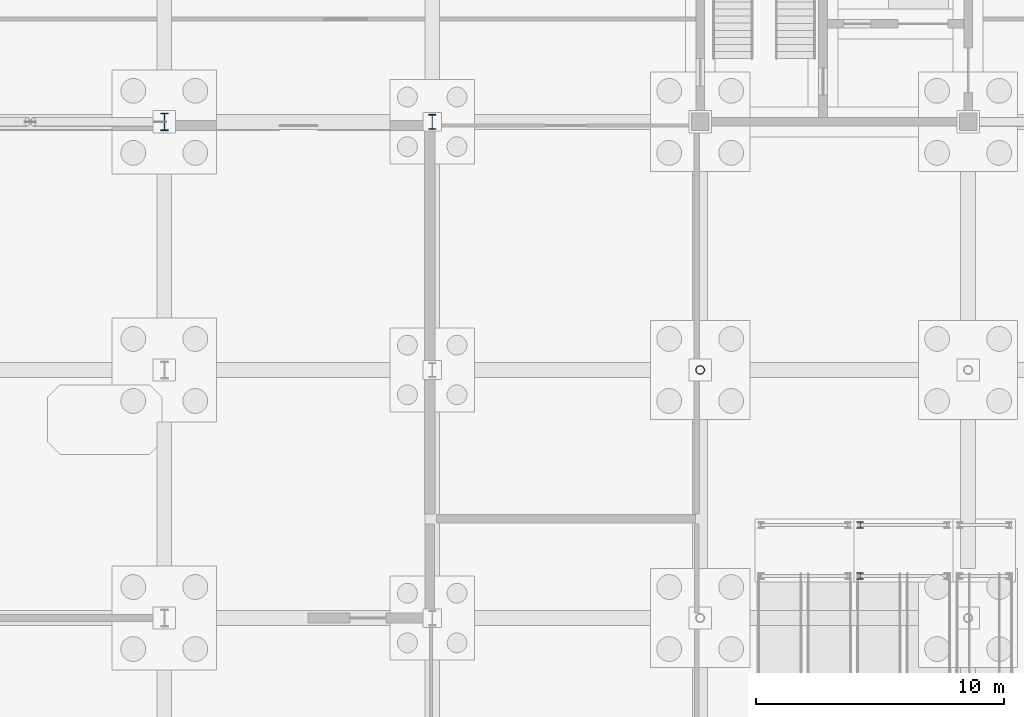
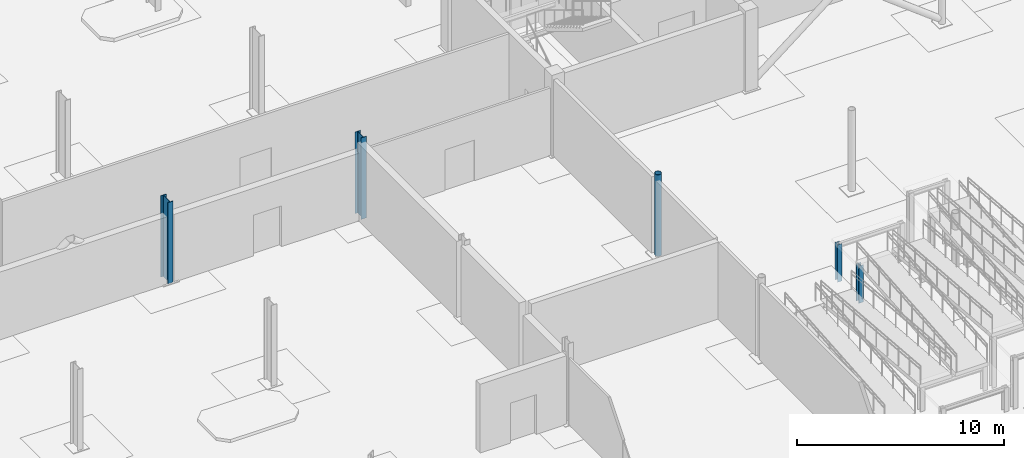
# One storey, part 16 of 73: 5 columns.
"""IFC4 building model written with IfcOpenShell, lengths in metres."""

from ifc_helpers import new_model, si_unit, direction, frame, origin, origin_2d, place, context, subcontext, project, spatial, hollow_circle, i_section, extrude, material, material_profile, profile_set, type_object, element, save


model = new_model("IFC4")

# Units and contexts
model_context = context("Model", 3, precision=1e-05, world=origin(), true_north=direction((0.0, 1.0)))
body_context = subcontext(model_context, "Body", "Model", "MODEL_VIEW")
ifc_project = project(units=[si_unit("LENGTHUNIT", "METRE"), si_unit("AREAUNIT", "SQUARE_METRE"), si_unit("VOLUMEUNIT", "CUBIC_METRE"), si_unit("PLANEANGLEUNIT", "RADIAN"), si_unit("MASSUNIT", "GRAM", prefix="KILO")], contexts=[model_context])

# Site, building, storey
site_placement = place(None, origin())
site = spatial("IfcSite", under=ifc_project, at=site_placement, CompositionType="ELEMENT")
building_placement = place(site_placement, origin())
building = spatial("IfcBuilding", under=site, at=building_placement, Name="Tasgan Crest Museum", CompositionType="ELEMENT")
storey_placement = place(building_placement, origin())
storey = spatial("IfcBuildingStorey", under=building, at=storey_placement, Name="L00", CompositionType="ELEMENT", Elevation=0.0)

# Columns
ifc_material_1 = material(Name="Steel S355K2", Category="steel")
ifc_material_profile_1 = material_profile(ifc_material_1, hollow_circle(Radius=0.177734375, WallThickness=0.01611328125, at=origin_2d()), Name="CHS 355.6x16")
ifc_profile_set_1 = profile_set([ifc_material_profile_1], Name="Steel S355K2")
column_type_1 = type_object("IfcColumnType", Name="COL-CHS355", PredefinedType="COLUMN", material=ifc_profile_set_1)
column_1_placement = place(storey_placement, frame((54.0, 72.0, 0.0), z_axis=(0.0, 0.0, 1.0), x_axis=(1.0, 0.0, 0.0)))
element("IfcColumn", 1, at=column_1_placement, inside=storey, type_object=column_type_1, Name="Column 6/H L00", PredefinedType="COLUMN", context=body_context, shape_type="SweptSolid", body=[
    extrude(hollow_circle(Radius=0.177734375, WallThickness=0.01611328125, at=origin_2d()), origin(), (0.0, 0.0, 1.0), 4.800048828125),
])
ifc_material_2 = material(Name="Steel S355K2", Category="steel")
ifc_material_profile_2 = material_profile(ifc_material_2, i_section(OverallWidth=0.300048828125, OverallDepth=0.60009765625, WebThickness=0.015380859375, FlangeThickness=0.030029296875, FilletRadius=0.027099609375, at=origin_2d()), Name="HEB 600")
ifc_profile_set_2 = profile_set([ifc_material_profile_2], Name="Steel S355K2")
column_type_2 = type_object("IfcColumnType", Name="COL-HEB600", PredefinedType="COLUMN", material=ifc_profile_set_2)
column_2_placement = place(storey_placement, frame((43.199951171875, 82.0, 0.0), z_axis=(0.0, 0.0, 1.0), x_axis=(1.0, 0.0, 0.0)))
element("IfcColumn", 2, at=column_2_placement, inside=storey, type_object=column_type_2, Name="Column 5/J L00", PredefinedType="COLUMN", context=body_context, shape_type="SweptSolid", body=[
    extrude(i_section(OverallWidth=0.300048828125, OverallDepth=0.60009765625, WebThickness=0.015380859375, FlangeThickness=0.030029296875, FilletRadius=0.027099609375, at=origin_2d()), origin(), (0.0, 0.0, 1.0), 4.800048828125),
])
ifc_material_3 = material(Name="Steel S355K2", Category="steel")
ifc_material_profile_3 = material_profile(ifc_material_3, i_section(OverallWidth=0.300048828125, OverallDepth=0.699951171875, WebThickness=0.01708984375, FlangeThickness=0.031982421875, FilletRadius=0.027099609375, at=origin_2d()), Name="HEB 700")
ifc_profile_set_3 = profile_set([ifc_material_profile_3], Name="Steel S355K2")
column_type_3 = type_object("IfcColumnType", Name="COL-HEB700", PredefinedType="COLUMN", material=ifc_profile_set_3)
column_3_placement = place(storey_placement, frame((32.39990234375, 82.0, 0.0), z_axis=(0.0, 0.0, 1.0), x_axis=(1.0, 0.0, 0.0)))
element("IfcColumn", 3, at=column_3_placement, inside=storey, type_object=column_type_3, Name="Column 4/J L00", PredefinedType="COLUMN", context=body_context, shape_type="SweptSolid", body=[
    extrude(i_section(OverallWidth=0.300048828125, OverallDepth=0.699951171875, WebThickness=0.01708984375, FlangeThickness=0.031982421875, FilletRadius=0.027099609375, at=origin_2d()), origin(), (0.0, 0.0, 1.0), 4.800048828125),
])
ifc_material_4 = material(Name="Steel S355J2", Category="steel")
ifc_material_profile_4 = material_profile(ifc_material_4, i_section(OverallWidth=0.260009765625, OverallDepth=0.260009765625, WebThickness=0.010009765625, FlangeThickness=0.017578125, FilletRadius=0.02392578125, at=origin_2d()), Name="HEB 260")
ifc_profile_set_4 = profile_set([ifc_material_profile_4], Name="Steel S355J2")
column_type_4 = type_object("IfcColumnType", Name="COL-RAMP-HEB260", PredefinedType="COLUMN", material=ifc_profile_set_4)
for number, where, z_axis, x_axis, name in (
    (4, (60.449951171875, 63.699951171875, 0.0), (0.0, 0.0, 1.0), (1.0, 0.0, 0.0), "Ramp landing post 3"),
    (5, (60.449951171875, 65.75, 0.0), (0.0, 0.0, 1.0), (1.0, 0.0, 0.0), "Ramp landing post 3"),
):
    element("IfcColumn", number, at=place(storey_placement, frame(where, z_axis=z_axis, x_axis=x_axis)), inside=storey, type_object=column_type_4, Name=name, PredefinedType="COLUMN", context=body_context, shape_type="SweptSolid", body=[
        extrude(i_section(OverallWidth=0.260009765625, OverallDepth=0.260009765625, WebThickness=0.010009765625, FlangeThickness=0.017578125, FilletRadius=0.02392578125, at=origin_2d()), origin(), (0.0, 0.0, 1.0), 2.199951171875),
    ])

save(model, "model.ifc")
